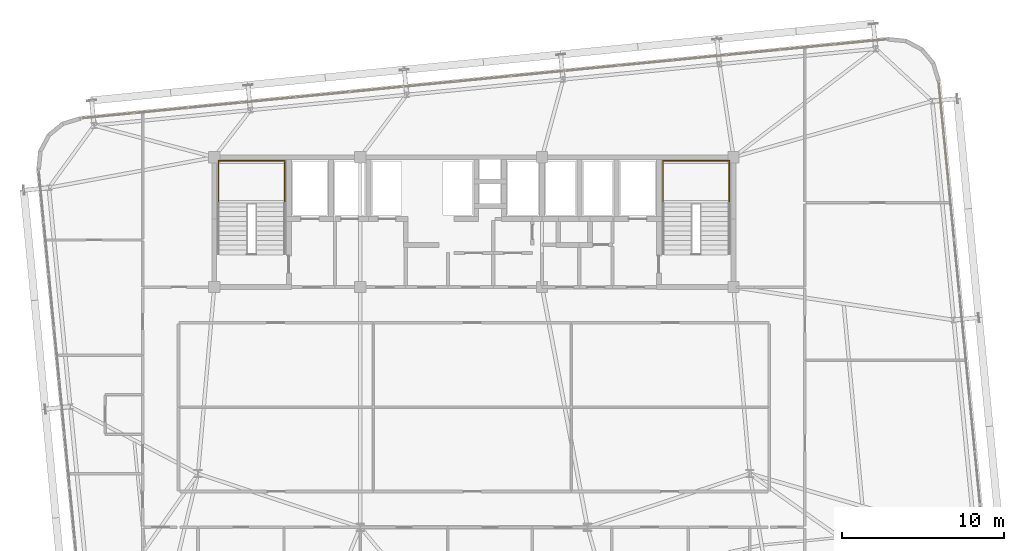
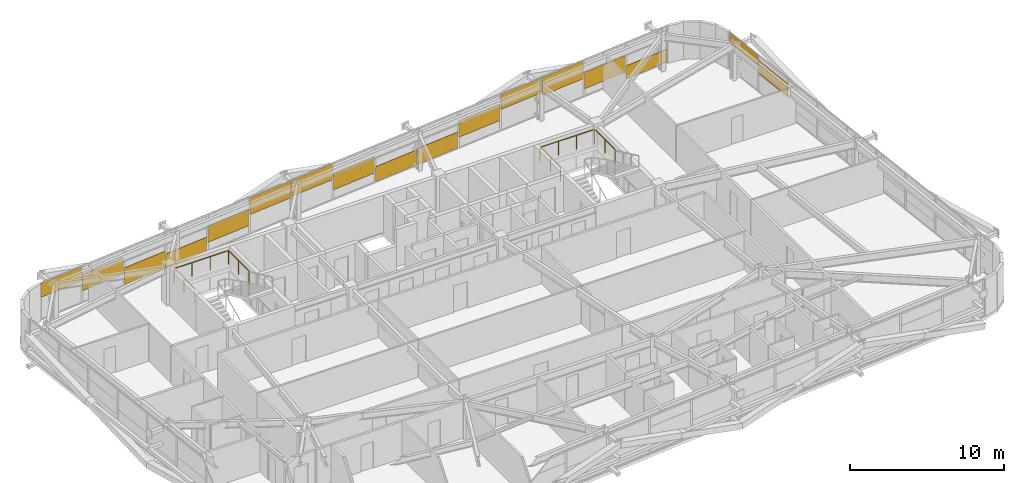
# One storey, part 54 of 54: 17 coverings, 2 railings.
"""IFC4 building model written with IfcOpenShell, lengths in metres."""

from ifc_helpers import new_model, si_unit, direction, frame, origin, origin_2d, place, context, subcontext, project, spatial, rectangle, extrude, source, transform, mapped, material, layer, layer_set, type_object, element, save


model = new_model("IFC4")

# Units and contexts
model_context = context("Model", 3, precision=1e-05, world=origin(), true_north=direction((0.0, 1.0)))
body_context = subcontext(model_context, "Body", "Model", "MODEL_VIEW")
ifc_project = project(units=[si_unit("LENGTHUNIT", "METRE"), si_unit("AREAUNIT", "SQUARE_METRE"), si_unit("VOLUMEUNIT", "CUBIC_METRE"), si_unit("PLANEANGLEUNIT", "RADIAN"), si_unit("MASSUNIT", "GRAM", prefix="KILO")], contexts=[model_context])

# Site, building, storey
site_placement = place(None, origin())
site = spatial("IfcSite", under=ifc_project, at=site_placement, CompositionType="ELEMENT")
building_placement = place(site_placement, origin())
building = spatial("IfcBuilding", under=site, at=building_placement, Name="Taldren Reach Tower", CompositionType="ELEMENT")
storey_placement = place(building_placement, frame((0.0, 0.0, 102.89990234375)))
storey = spatial("IfcBuildingStorey", under=building, at=storey_placement, Name="L31", CompositionType="ELEMENT", Elevation=102.89990234375)

# Railings
ifc_material_1 = material(Name="Steel Gr 350 (C350L0)", Category="steel")
ifc_layer_1 = layer(ifc_material_1, 0.050048828125)
ifc_layer_set_1 = layer_set([ifc_layer_1], Name="Steel Gr 350 (C350L0)")
railing_type = type_object("IfcRailingType", Name="RL-STAIR-GR", PredefinedType="GUARDRAIL", material=ifc_layer_set_1)
for number, where, name in (
    (1, (19.260009765625, 29.135009765625, 1.5751953125), "Stair half-landing perimeter guard ST1-L31"),
    (2, (46.659912109375, 29.135009765625, 1.5751953125), "Stair half-landing perimeter guard ST2-L31"),
):
    element("IfcRailing", number, at=place(storey_placement, frame(where)), inside=storey, type_object=railing_type, Name=name, PredefinedType="GUARDRAIL", context=body_context, shape_type="SweptSolid", body=[
        extrude(rectangle(XDim=0.047852, YDim=0.047852, at=origin_2d()), frame((0.0, 0.0, 1.09619140625), z_axis=(0.0, 1.0, 0.0), x_axis=(-1.0, 0.0, 0.0)), (0.0, 0.0, 1.0), 2.64501953125),
        extrude(rectangle(XDim=0.047852, YDim=0.047852, at=origin_2d()), frame((0.0, 2.64501953125, 1.09619140625), z_axis=(1.0, 0.0, 0.0), x_axis=(0.0, 1.0, 0.0)), (0.0, 0.0, 1.0), 4.080078125),
        extrude(rectangle(XDim=0.047852, YDim=0.047852, at=origin_2d()), frame((4.080078125, 2.64501953125, 1.09619140625), z_axis=(0.0, -1.0, 0.0), x_axis=(1.0, 0.0, 0.0)), (0.0, 0.0, 1.0), 2.64501953125),
        extrude(rectangle(XDim=0.041992, YDim=0.041992, at=origin_2d()), origin(), (0.0, 0.0, 1.0), 1.072021484375),
        extrude(rectangle(XDim=0.041992, YDim=0.041992, at=origin_2d()), frame((0.0, 1.322509765625, 0.0)), (0.0, 0.0, 1.0), 1.072021484375),
        extrude(rectangle(XDim=0.041992, YDim=0.041992, at=origin_2d()), frame((0.0, 2.64501953125, 0.0)), (0.0, 0.0, 1.0), 1.072021484375),
        extrude(rectangle(XDim=0.041992, YDim=0.041992, at=origin_2d()), frame((1.360107421875, 2.64501953125, 0.0)), (0.0, 0.0, 1.0), 1.072021484375),
        extrude(rectangle(XDim=0.041992, YDim=0.041992, at=origin_2d()), frame((2.719970703125, 2.64501953125, 0.0)), (0.0, 0.0, 1.0), 1.072021484375),
        extrude(rectangle(XDim=0.041992, YDim=0.041992, at=origin_2d()), frame((4.080078125, 2.64501953125, 0.0)), (0.0, 0.0, 1.0), 1.072021484375),
        extrude(rectangle(XDim=0.041992, YDim=0.041992, at=origin_2d()), frame((4.080078125, 1.322509765625, 0.0)), (0.0, 0.0, 1.0), 1.072021484375),
        extrude(rectangle(XDim=0.041992, YDim=0.041992, at=origin_2d()), frame((4.080078125, 0.0, 0.0)), (0.0, 0.0, 1.0), 1.072021484375),
    ])

# Coverings
ifc_material_2 = material(Name="Pale Champagne Fluoropolymer Aluminium Spandrel Cladding", Category="aluminium")
ifc_layer_2 = layer(ifc_material_2, 0.0439453125)
ifc_layer_set_2 = layer_set([ifc_layer_2], Name="Pale Champagne Fluoropolymer Aluminium Spandrel Cladding")
covering_type = type_object("IfcCoveringType", Name="CV-CLAD-044", PredefinedType="CLADDING", material=ifc_layer_set_2)
shared_shape_1 = source(origin(), body_context, "Body", "SweptSolid", [
    extrude(rectangle(XDim=3.23583984375, YDim=0.0439453125, at=origin_2d()), origin(), (0.0, 0.0, 1.0), 1.094970703125),
])
covering_1_placement = place(storey_placement, frame((12.42578125, 34.550537109375, 1.7802734375), z_axis=(0.0, 0.0, 1.0), x_axis=(-0.995227390247, -0.097582999046, 0.0)))
element("IfcCovering", 3, at=covering_1_placement, inside=storey, type_object=covering_type, Name="Diagrid closure cladding strip CW-3 panel 15.1 1", PredefinedType="CLADDING", context=body_context, shape_type="MappedRepresentation", body=[
    mapped(shared_shape_1, transform((0.0, 0.0, 0.0), scale=1.0)),
])
shared_shape_2 = source(origin(), body_context, "Body", "SweptSolid", [
    extrude(rectangle(XDim=3.268310546875, YDim=0.0439453125, at=origin_2d()), origin(), (0.0, 0.0, 1.0), 1.3046875),
])
for number, where, z_axis, x_axis, name in (
    (4, (55.5361328125, 38.777587890625, 0.6220703125), (0.0, 0.0, 1.0), (-0.995227390247, -0.097582999046, 0.0), "Diagrid closure cladding strip CW-3 panel 2.1 1"),
    (5, (45.583740234375, 37.8017578125, 0.863037109375), (0.0, 0.0, 1.0), (-0.995227390247, -0.097582999046, 0.0), "Diagrid closure cladding strip CW-3 panel 5.1 1"),
    (6, (35.631591796875, 36.825927734375, 0.78271484375), (0.0, 0.0, 1.0), (-0.995227390247, -0.097582999046, 0.0), "Diagrid closure cladding strip CW-3 panel 8.1 1"),
    (7, (25.67919921875, 35.85009765625, 0.702392578125), (0.0, 0.0, 1.0), (-0.995227390247, -0.097582999046, 0.0), "Diagrid closure cladding strip CW-3 panel 11.1 1"),
    (8, (15.72705078125, 34.874267578125, 0.943359375), (0.0, 0.0, 1.0), (-0.995227390247, -0.097582999046, 0.0), "Diagrid closure cladding strip CW-3 panel 14.1 1"),
):
    element("IfcCovering", number, at=place(storey_placement, frame(where, z_axis=z_axis, x_axis=x_axis)), inside=storey, type_object=covering_type, Name=name, PredefinedType="CLADDING", context=body_context, shape_type="MappedRepresentation", body=[
        mapped(shared_shape_2, transform((0.0, 0.0, 0.0), scale=1.0)),
    ])
shared_shape_3 = source(origin(), body_context, "Body", "SweptSolid", [
    extrude(rectangle(XDim=3.268310546875, YDim=0.0439453125, at=origin_2d()), origin(), (0.0, 0.0, 1.0), 1.356201171875),
])
covering_2_placement = place(storey_placement, frame((19.04443359375, 35.199462890625, 0.05517578125), z_axis=(0.0, 0.0, 1.0), x_axis=(-0.995227390247, -0.097582999046, 0.0)))
element("IfcCovering", 9, at=covering_2_placement, inside=storey, type_object=covering_type, Name="Diagrid closure cladding strip CW-3 panel 13.1 1", PredefinedType="CLADDING", context=body_context, shape_type="MappedRepresentation", body=[
    mapped(shared_shape_3, transform((0.0, 0.0, 0.0), scale=1.0)),
])
shared_shape_4 = source(origin(), body_context, "Body", "SweptSolid", [
    extrude(rectangle(XDim=3.268310546875, YDim=0.0439453125, at=origin_2d()), origin(), (0.0, 0.0, 1.0), 1.115234375),
])
covering_3_placement = place(storey_placement, frame((22.36181640625, 35.52490234375, 0.05517578125), z_axis=(0.0, 0.0, 1.0), x_axis=(-0.995227390247, -0.097582999046, 0.0)))
element("IfcCovering", 10, at=covering_3_placement, inside=storey, type_object=covering_type, Name="Diagrid closure cladding strip CW-3 panel 12.1 1", PredefinedType="CLADDING", context=body_context, shape_type="MappedRepresentation", body=[
    mapped(shared_shape_4, transform((0.0, 0.0, 0.0), scale=1.0)),
])
shared_shape_5 = source(origin(), body_context, "Body", "SweptSolid", [
    extrude(rectangle(XDim=3.268310546875, YDim=0.0439453125, at=origin_2d()), origin(), (0.0, 0.0, 1.0), 1.3359375),
])
covering_4_placement = place(storey_placement, frame((28.996826171875, 36.17529296875, 1.5390625), z_axis=(0.0, 0.0, 1.0), x_axis=(-0.995227390247, -0.097582999046, 0.0)))
element("IfcCovering", 11, at=covering_4_placement, inside=storey, type_object=covering_type, Name="Diagrid closure cladding strip CW-3 panel 10.1 1", PredefinedType="CLADDING", context=body_context, shape_type="MappedRepresentation", body=[
    mapped(shared_shape_5, transform((0.0, 0.0, 0.0), scale=1.0)),
])
shared_shape_6 = source(origin(), body_context, "Body", "SweptSolid", [
    extrude(rectangle(XDim=3.268310546875, YDim=0.0439453125, at=origin_2d()), origin(), (0.0, 0.0, 1.0), 1.255615234375),
])
covering_5_placement = place(storey_placement, frame((32.314208984375, 36.500732421875, 1.61962890625), z_axis=(0.0, 0.0, 1.0), x_axis=(-0.995227390247, -0.097582999046, 0.0)))
element("IfcCovering", 12, at=covering_5_placement, inside=storey, type_object=covering_type, Name="Diagrid closure cladding strip CW-3 panel 9.1 1", PredefinedType="CLADDING", context=body_context, shape_type="MappedRepresentation", body=[
    mapped(shared_shape_6, transform((0.0, 0.0, 0.0), scale=1.0)),
])
shared_shape_7 = source(origin(), body_context, "Body", "SweptSolid", [
    extrude(rectangle(XDim=3.268310546875, YDim=0.0439453125, at=origin_2d()), origin(), (0.0, 0.0, 1.0), 1.195556640625),
])
covering_6_placement = place(storey_placement, frame((38.948974609375, 37.151123046875, 0.05517578125), z_axis=(0.0, 0.0, 1.0), x_axis=(-0.995227390247, -0.097582999046, 0.0)))
element("IfcCovering", 13, at=covering_6_placement, inside=storey, type_object=covering_type, Name="Diagrid closure cladding strip CW-3 panel 7.1 1", PredefinedType="CLADDING", context=body_context, shape_type="MappedRepresentation", body=[
    mapped(shared_shape_7, transform((0.0, 0.0, 0.0), scale=1.0)),
])
shared_shape_8 = source(origin(), body_context, "Body", "SweptSolid", [
    extrude(rectangle(XDim=3.268310546875, YDim=0.0439453125, at=origin_2d()), origin(), (0.0, 0.0, 1.0), 1.27587890625),
])
covering_7_placement = place(storey_placement, frame((42.266357421875, 37.4765625, 0.05517578125), z_axis=(0.0, 0.0, 1.0), x_axis=(-0.995227390247, -0.097582999046, 0.0)))
element("IfcCovering", 14, at=covering_7_placement, inside=storey, type_object=covering_type, Name="Diagrid closure cladding strip CW-3 panel 6.1 1", PredefinedType="CLADDING", context=body_context, shape_type="MappedRepresentation", body=[
    mapped(shared_shape_8, transform((0.0, 0.0, 0.0), scale=1.0)),
])
shared_shape_9 = source(origin(), body_context, "Body", "SweptSolid", [
    extrude(rectangle(XDim=3.268310546875, YDim=0.0439453125, at=origin_2d()), origin(), (0.0, 0.0, 1.0), 1.17529296875),
])
covering_8_placement = place(storey_placement, frame((48.9013671875, 38.126953125, 1.69970703125), z_axis=(0.0, 0.0, 1.0), x_axis=(-0.995227390247, -0.097582999046, 0.0)))
element("IfcCovering", 15, at=covering_8_placement, inside=storey, type_object=covering_type, Name="Diagrid closure cladding strip CW-3 panel 4.1 1", PredefinedType="CLADDING", context=body_context, shape_type="MappedRepresentation", body=[
    mapped(shared_shape_9, transform((0.0, 0.0, 0.0), scale=1.0)),
])
shared_shape_10 = source(origin(), body_context, "Body", "SweptSolid", [
    extrude(rectangle(XDim=3.268310546875, YDim=0.0439453125, at=origin_2d()), origin(), (0.0, 0.0, 1.0), 1.416259765625),
])
covering_9_placement = place(storey_placement, frame((52.21875, 38.452392578125, 1.458984375), z_axis=(0.0, 0.0, 1.0), x_axis=(-0.995227390247, -0.097582999046, 0.0)))
element("IfcCovering", 16, at=covering_9_placement, inside=storey, type_object=covering_type, Name="Diagrid closure cladding strip CW-3 panel 3.1 1", PredefinedType="CLADDING", context=body_context, shape_type="MappedRepresentation", body=[
    mapped(shared_shape_10, transform((0.0, 0.0, 0.0), scale=1.0)),
])
shared_shape_11 = source(origin(), body_context, "Body", "SweptSolid", [
    extrude(rectangle(XDim=3.23583984375, YDim=0.0439453125, at=origin_2d()), origin(), (0.0, 0.0, 1.0), 1.034912109375),
])
covering_10_placement = place(storey_placement, frame((58.83740234375, 39.101318359375, 0.05517578125), z_axis=(0.0, 0.0, 1.0), x_axis=(-0.995227390247, -0.097582999046, 0.0)))
element("IfcCovering", 17, at=covering_10_placement, inside=storey, type_object=covering_type, Name="Diagrid closure cladding strip CW-3 panel 1.1 1", PredefinedType="CLADDING", context=body_context, shape_type="MappedRepresentation", body=[
    mapped(shared_shape_11, transform((0.0, 0.0, 0.0), scale=1.0)),
])
shared_shape_12 = source(origin(), body_context, "Body", "SweptSolid", [
    extrude(rectangle(XDim=3.18017578125, YDim=0.0439453125, at=origin_2d()), origin(), (0.0, 0.0, 1.0), 0.83056640625),
])
covering_11_placement = place(storey_placement, frame((63.79931640625, 35.051025390625, 2.044677734375), z_axis=(0.0, 0.0, 1.0), x_axis=(-0.09758274098, 0.99522741555, 0.0)))
element("IfcCovering", 18, at=covering_11_placement, inside=storey, type_object=covering_type, Name="Diagrid closure cladding strip CW-3 panel 9.1 1", PredefinedType="CLADDING", context=body_context, shape_type="MappedRepresentation", body=[
    mapped(shared_shape_12, transform((0.0, 0.0, 0.0), scale=1.0)),
])
shared_shape_13 = source(origin(), body_context, "Body", "SweptSolid", [
    extrude(rectangle(XDim=3.212890625, YDim=0.0439453125, at=origin_2d()), origin(), (0.0, 0.0, 1.0), 1.053466796875),
])
covering_12_placement = place(storey_placement, frame((64.117431640625, 31.80517578125, 1.45703125), z_axis=(0.0, 0.0, 1.0), x_axis=(-0.09758274098, 0.99522741555, 0.0)))
element("IfcCovering", 19, at=covering_12_placement, inside=storey, type_object=covering_type, Name="Diagrid closure cladding strip CW-3 panel 8.1 1", PredefinedType="CLADDING", context=body_context, shape_type="MappedRepresentation", body=[
    mapped(shared_shape_13, transform((0.0, 0.0, 0.0), scale=1.0)),
])

save(model, "model.ifc")
